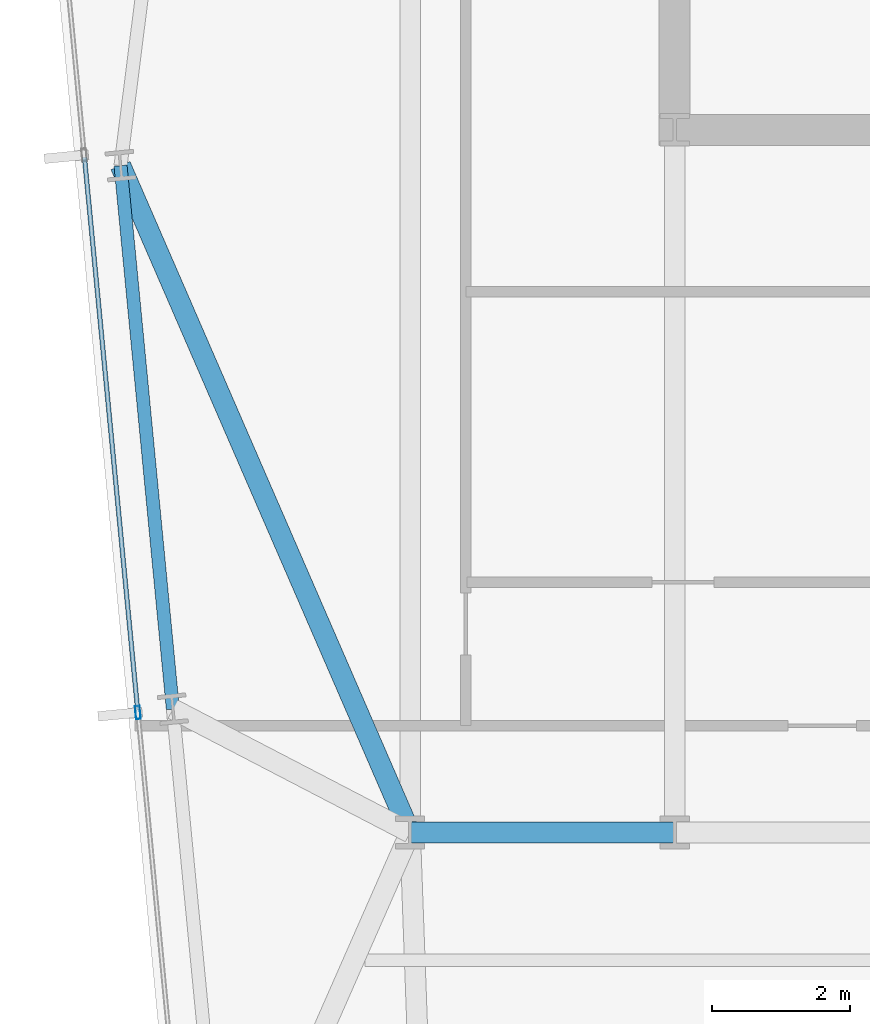
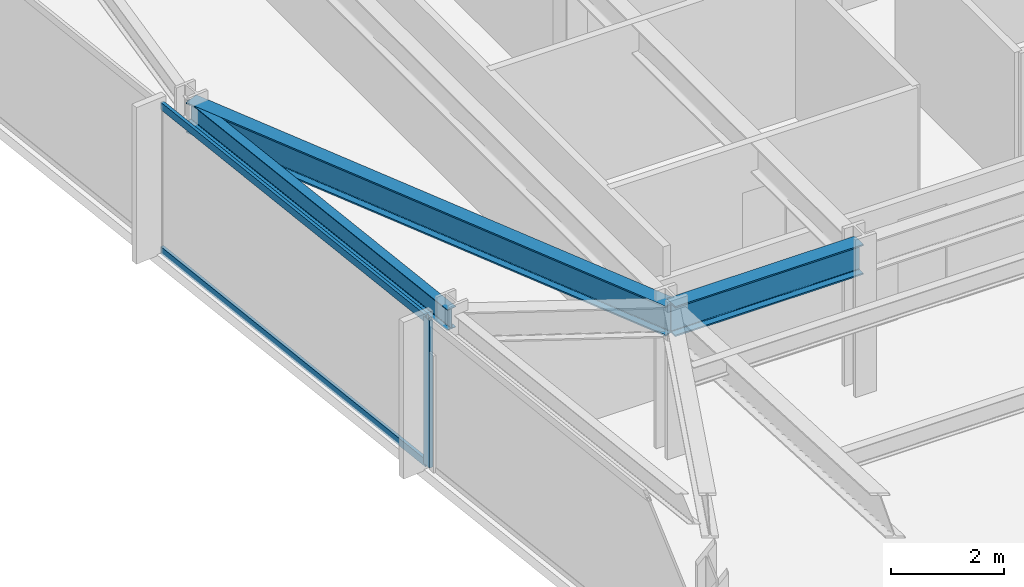
# One storey, part 6 of 33: 3 beams, 3 members, 1 element without a shape of its own.
"""IFC4 building model written with IfcOpenShell, lengths in metres."""

from ifc_helpers import new_model, si_unit, direction, frame, origin, origin_2d, place, context, subcontext, project, spatial, hollow_rectangle, i_section, extrude, material, material_profile, profile_set, type_object, element, aggregate, save


model = new_model("IFC4")

# Units and contexts
model_context = context("Model", 3, precision=1e-05, world=origin(), true_north=direction((0.0, 1.0)))
body_context = subcontext(model_context, "Body", "Model", "MODEL_VIEW")
ifc_project = project(units=[si_unit("LENGTHUNIT", "METRE"), si_unit("AREAUNIT", "SQUARE_METRE"), si_unit("VOLUMEUNIT", "CUBIC_METRE"), si_unit("PLANEANGLEUNIT", "RADIAN"), si_unit("MASSUNIT", "GRAM", prefix="KILO")], contexts=[model_context])

# Site, building, storey
site_placement = place(None, origin())
site = spatial("IfcSite", under=ifc_project, at=site_placement, CompositionType="ELEMENT")
building_placement = place(site_placement, origin())
building = spatial("IfcBuilding", under=site, at=building_placement, Name="Yelkora Congress Tower", CompositionType="ELEMENT")
storey_placement = place(building_placement, frame((0.0, 0.0, 110.10009765625)))
storey = spatial("IfcBuildingStorey", under=building, at=storey_placement, Name="L29", CompositionType="ELEMENT", Elevation=110.10009765625)

# Beams
ifc_material_1 = material(Name="Steel S355J2", Category="steel")
ifc_material_profile_1 = material_profile(ifc_material_1, i_section(OverallWidth=0.300048828125, OverallDepth=0.64990234375, WebThickness=0.01611328125, FlangeThickness=0.031005859375, FilletRadius=0.027099609375, at=origin_2d()), Name="HEB 650")
ifc_profile_set_1 = profile_set([ifc_material_profile_1], Name="Steel S355J2")
beam_type_1 = type_object("IfcBeamType", Name="BM-GIRD-HEB650", PredefinedType="BEAM", material=ifc_profile_set_1)
beam_1_placement = place(storey_placement, frame((19.199951171875, 25.199951171875, 2.85498046875), z_axis=(1.0, 0.0, 0.0), x_axis=(0.0, 1.0, 0.0)))
element("IfcBeam", 1, at=beam_1_placement, inside=storey, type_object=beam_type_1, Name="L29 Spine Grid D Girder 1", PredefinedType="BEAM", context=body_context, shape_type="SweptSolid", body=[
    extrude(i_section(OverallWidth=0.300048828125, OverallDepth=0.64990234375, WebThickness=0.01611328125, FlangeThickness=0.031005859375, FilletRadius=0.027099609375, at=origin_2d()), origin(), (0.0, 0.0, 1.0), 3.840087890625),
])
beam_2_placement = place(storey_placement, frame((14.997314453125, 34.87890625, 2.85498046875), z_axis=(0.398279362914, -0.917264165373, 0.0), x_axis=(0.917264165373, 0.398279362914, 0.0)))
element("IfcBeam", 2, at=beam_2_placement, inside=storey, type_object=beam_type_1, Name="L29 Primary Frame Girder W03", PredefinedType="BEAM", context=body_context, shape_type="SweptSolid", body=[
    extrude(i_section(OverallWidth=0.300048828125, OverallDepth=0.64990234375, WebThickness=0.01611328125, FlangeThickness=0.031005859375, FilletRadius=0.027099609375, at=origin_2d()), origin(), (0.0, 0.0, 1.0), 10.552001953125),
])
ifc_material_profile_2 = material_profile(ifc_material_1, i_section(OverallWidth=0.18994140625, OverallDepth=0.449951171875, WebThickness=0.009521484375, FlangeThickness=0.0146484375, FilletRadius=0.02099609375, at=origin_2d()), Name="IPE 450")
ifc_profile_set_2 = profile_set([ifc_material_profile_2], Name="Steel S355J2")
beam_type_2 = type_object("IfcBeamType", Name="BM-SPAN-IPE450", PredefinedType="SPANDREL", material=ifc_profile_set_2)
beam_3_placement = place(storey_placement, frame((14.997314453125, 34.87890625, 2.954833984375), z_axis=(0.095870310714, -0.995393833376, 0.0), x_axis=(0.995393833376, 0.095870310714, 0.0)))
element("IfcBeam", 3, at=beam_3_placement, inside=storey, type_object=beam_type_2, Name="L29 Perimeter Beam 19", PredefinedType="SPANDREL", context=body_context, shape_type="SweptSolid", body=[
    extrude(i_section(OverallWidth=0.18994140625, OverallDepth=0.449951171875, WebThickness=0.009521484375, FlangeThickness=0.0146484375, FilletRadius=0.02099609375, at=origin_2d()), origin(), (0.0, 0.0, 1.0), 7.925048828125),
])

# Curtain wall, members
ifc_material_2 = material(Name="Anodised aluminium and insulated glass", Category="aluminium")
curtain_wall_type = type_object("IfcCurtainWallType", Name="CW-SYS-B2", PredefinedType="NOTDEFINED", material=ifc_material_2)
curtain_wall_placement = place(storey_placement, origin())
curtain_wall = element("IfcCurtainWall", 4, at=curtain_wall_placement, inside=storey, type_object=curtain_wall_type, Name="L29 Unitised Curtain Wall 5", PredefinedType="NOTDEFINED")
ifc_material_3 = material(Name="Anodised aluminium 6063-T6", Category="aluminium")
ifc_material_profile_3 = material_profile(ifc_material_3, hollow_rectangle(XDim=0.070068359375, YDim=0.18994140625, WallThickness=0.00390625, at=origin_2d()), Name="ALU 70x190x4")
ifc_profile_set_3 = profile_set([ifc_material_profile_3], Name="Anodised aluminium 6063-T6")
member_type_1 = type_object("IfcMemberType", Name="MEM-ML-B2", PredefinedType="MULLION", material=ifc_profile_set_3)
member_1_placement = place(storey_placement, frame((15.249267578125, 26.941650390625, 0.0), z_axis=(0.0, 0.0, 1.0), x_axis=(-0.995396507508, -0.095842541913, 0.0)))
member_1 = element("IfcMember", 5, at=member_1_placement, type_object=member_type_1, Name="CW-B2 mullion 3", PredefinedType="MULLION", context=body_context, shape_type="SweptSolid", body=[
    extrude(hollow_rectangle(XDim=0.070068359375, YDim=0.18994140625, WallThickness=0.00390625, at=origin_2d()), origin(), (0.0, 0.0, 1.0), 3.179931640625),
])
ifc_material_profile_4 = material_profile(ifc_material_3, hollow_rectangle(XDim=0.06494140625, YDim=0.159912109375, WallThickness=0.00390625, at=origin_2d()), Name="ALU 65x160x4")
ifc_profile_set_4 = profile_set([ifc_material_profile_4], Name="Anodised aluminium 6063-T6")
member_type_2 = type_object("IfcMemberType", Name="MEM-TR-B2", PredefinedType="USERDEFINED", material=ifc_profile_set_4)
member_2_placement = place(storey_placement, frame((15.245849609375, 26.976318359375, 0.032470703125), z_axis=(-0.095838228465, 0.995396922823, 0.0), x_axis=(-0.995396922823, -0.095838228465, 0.0)))
member_2 = element("IfcMember", 6, at=member_2_placement, type_object=member_type_2, Name="CW-B2 transom 3.1", ObjectType="TRANSOM", PredefinedType="USERDEFINED", context=body_context, shape_type="SweptSolid", body=[
    extrude(hollow_rectangle(XDim=0.06494140625, YDim=0.159912109375, WallThickness=0.00390625, at=origin_2d()), origin(), (0.0, 0.0, 1.0), 8.06005859375),
])
member_3_placement = place(storey_placement, frame((15.245849609375, 26.976318359375, 3.1474609375), z_axis=(-0.095838228465, 0.995396922823, 0.0), x_axis=(-0.995396922823, -0.095838228465, 0.0)))
member_3 = element("IfcMember", 7, at=member_3_placement, type_object=member_type_2, Name="CW-B2 transom 3.2", ObjectType="TRANSOM", PredefinedType="USERDEFINED", context=body_context, shape_type="SweptSolid", body=[
    extrude(hollow_rectangle(XDim=0.06494140625, YDim=0.159912109375, WallThickness=0.00390625, at=origin_2d()), origin(), (0.0, 0.0, 1.0), 8.06005859375),
])
aggregate(curtain_wall, [member_1, member_2, member_3])

save(model, "model.ifc")
